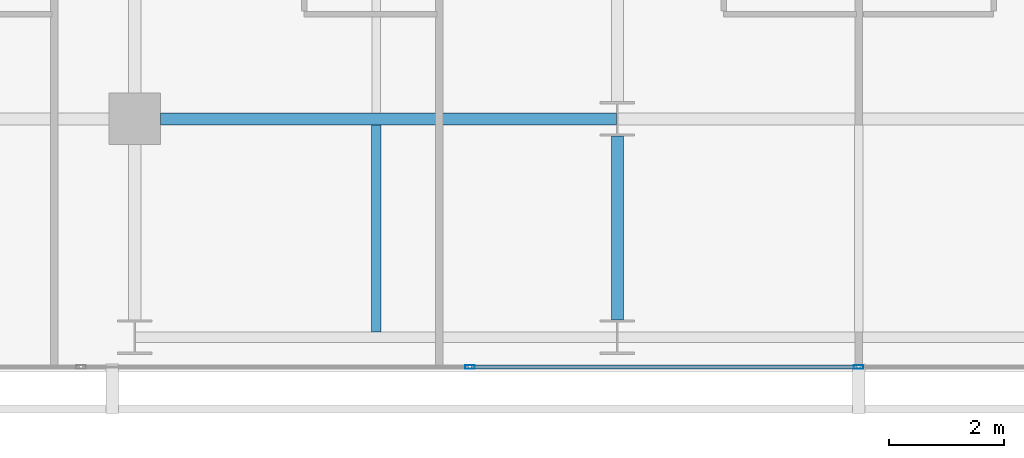
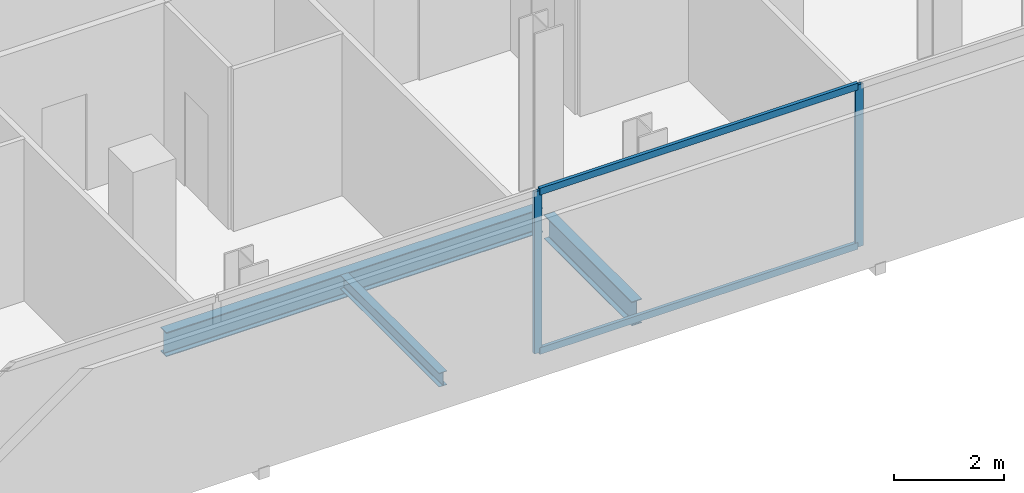
# One storey, part 6 of 33: 4 members, 3 beams, 1 element without a shape of its own.
"""IFC4 building model written with IfcOpenShell, lengths in metres."""

import ifcopenshell
import ifcopenshell.guid

model = None  # the IFC model being written
_history = None  # IfcOwnerHistory: only IFC2X3 demands one
_inside = {}  # id of a spatial element -> (the spatial element, [elements in it])
_under = {}  # id of a project, library or spatial element -> (it, [spatial elements below it])
_declared = {}  # id of a project -> (the project, [libraries it declares])
_typed = {}  # id of a type object -> (the type object, [elements of that type])
_made_of = {}  # id of a material, layer set ... -> (it, [elements and type objects made of it])


def new_model(schema):
    """Start an empty IFC model of exactly this schema.

    Asked for "IFC4X3", IfcOpenShell would pick the latest addendum, in which some entities
    have other attributes; the version numbers below select the first issue.
    IFC2X3 requires an IfcOwnerHistory on every rooted entity: one is made here for all.
    """
    global model, _history
    if schema == "IFC4X3":
        model = ifcopenshell.file(schema_version=(4, 3, 0, 0))
    else:
        model = ifcopenshell.file(schema=schema)
    _inside.clear()
    _under.clear()
    _declared.clear()
    _typed.clear()
    _made_of.clear()
    _history = None
    if model.schema == "IFC2X3":
        org = make("IfcOrganization", Name="unknown")
        user = make(
            "IfcPersonAndOrganization",
            ThePerson=make("IfcPerson", FamilyName="unknown"),
            TheOrganization=org,
        )
        app = make(
            "IfcApplication",
            ApplicationDeveloper=org,
            Version="unknown",
            ApplicationFullName="unknown",
            ApplicationIdentifier="unknown",
        )
        _history = make(
            "IfcOwnerHistory",
            OwningUser=user,
            OwningApplication=app,
            ChangeAction="ADDED",
            CreationDate=0,
        )
    return model


def make(cls, **values):
    """One entity of the class cls with the attributes given. An attribute that is None is left unset."""
    return model.create_entity(
        cls, **{name: value for name, value in values.items() if value is not None}
    )


def rooted(cls, **values):
    """An entity with a GlobalId (a new one), such as an element, a storey or a relation."""
    return make(cls, GlobalId=ifcopenshell.guid.new(), OwnerHistory=_history, **values)


def si_unit(unit_type, name, prefix=None):
    """IfcSIUnit, for example si_unit("LENGTHUNIT", "METRE", prefix="MILLI")."""
    return make("IfcSIUnit", UnitType=unit_type, Prefix=prefix, Name=name)


def assignment(units):
    """IfcUnitAssignment: the units of a project."""
    return None if units is None else make("IfcUnitAssignment", Units=units)


def point(xyz):
    """IfcCartesianPoint."""
    return None if xyz is None else make("IfcCartesianPoint", Coordinates=xyz)


def direction(xyz):
    """IfcDirection."""
    return None if xyz is None else make("IfcDirection", DirectionRatios=xyz)


def frame(location, z_axis=None, x_axis=None):
    """IfcAxis2Placement3D, a coordinate frame: its origin and axes. An axis left out is left unset."""
    return make(
        "IfcAxis2Placement3D",
        Location=point(location),
        Axis=direction(z_axis),
        RefDirection=direction(x_axis),
    )


def frame_2d(location, x_axis=None):
    """IfcAxis2Placement2D, a coordinate frame in the plane: its origin and x axis."""
    return make(
        "IfcAxis2Placement2D", Location=point(location), RefDirection=direction(x_axis)
    )


def origin():
    """The frame at (0, 0, 0) with its axes left unset."""
    return frame((0.0, 0.0, 0.0))


def origin_2d():
    """The frame at (0, 0) in the plane with its x axis left unset."""
    return frame_2d((0.0, 0.0))


def place(relative_to, where):
    """IfcLocalPlacement: puts the frame where relative to a parent placement (None: the world)."""
    return make(
        "IfcLocalPlacement", PlacementRelTo=relative_to, RelativePlacement=where
    )


def context(
    kind, dimensions, precision=None, world=None, true_north=None, identifier=None
):
    """IfcGeometricRepresentationContext, for example the 3D "Model" context."""
    return make(
        "IfcGeometricRepresentationContext",
        ContextIdentifier=identifier,
        ContextType=kind,
        CoordinateSpaceDimension=dimensions,
        Precision=precision,
        WorldCoordinateSystem=world,
        TrueNorth=true_north,
    )


def subcontext(parent, identifier, kind, view, scale=None):
    """IfcGeometricRepresentationSubContext, for example "Body" below "Model"."""
    return make(
        "IfcGeometricRepresentationSubContext",
        ContextIdentifier=identifier,
        ContextType=kind,
        ParentContext=parent,
        TargetScale=scale,
        TargetView=view,
    )


def project(units=None, contexts=None):
    """IfcProject with its units and contexts."""
    return rooted(
        "IfcProject",
        Name="project",
        RepresentationContexts=contexts,
        UnitsInContext=assignment(units),
    )


def spatial(cls, under=None, at=None, **own):
    """A site, building, storey or space (cls), placed at a placement, below another one or the project."""
    s = rooted(cls, ObjectPlacement=at, **own)
    if under is not None:
        _under.setdefault(under.id(), (under, []))[1].append(s)
    return s


def profile(cls, at=None, kind="AREA", **sizes):
    """A parametric profile (cls). Its sizes go by their IFC names, for example OverallWidth=200.0."""
    return make(cls, ProfileType=kind, Position=at, **sizes)


def hollow_rectangle(**sizes):
    """IfcRectangleHollowProfileDef."""
    return profile("IfcRectangleHollowProfileDef", **sizes)


def i_section(**sizes):
    """IfcIShapeProfileDef."""
    return profile("IfcIShapeProfileDef", **sizes)


def extrude(swept, where, along, depth):
    """IfcExtrudedAreaSolid: the profile swept, set in the frame where, extruded along a direction by depth."""
    return make(
        "IfcExtrudedAreaSolid",
        SweptArea=swept,
        Position=where,
        ExtrudedDirection=direction(along),
        Depth=depth,
    )


def shape(context_of_items, identifier, shape_type, items):
    """IfcShapeRepresentation: the items that make up one representation, for example the "Body"."""
    return make(
        "IfcShapeRepresentation",
        ContextOfItems=context_of_items,
        RepresentationIdentifier=identifier,
        RepresentationType=shape_type,
        Items=items,
    )


def material(Name=None, Category=None):
    """IfcMaterial."""
    return make("IfcMaterial", Name=Name, Category=Category)


def layer(
    of_material, thickness, ventilated=None, Name=None, Category=None, Priority=None
):
    """IfcMaterialLayer: one layer of a wall or slab, of a material (None: an air gap)."""
    return make(
        "IfcMaterialLayer",
        Material=of_material,
        LayerThickness=thickness,
        IsVentilated=ventilated,
        Name=Name,
        Category=Category,
        Priority=Priority,
    )


def layer_set(layers, Name=None):
    """IfcMaterialLayerSet."""
    return make("IfcMaterialLayerSet", MaterialLayers=layers, LayerSetName=Name)


def material_profile(
    of_material, cross_section, Name=None, Category=None, Priority=None
):
    """IfcMaterialProfile: a cross section and its material."""
    return make(
        "IfcMaterialProfile",
        Name=Name,
        Material=of_material,
        Profile=cross_section,
        Priority=Priority,
        Category=Category,
    )


def profile_set(profiles, Name=None, composite=None):
    """IfcMaterialProfileSet."""
    return make(
        "IfcMaterialProfileSet",
        Name=Name,
        MaterialProfiles=profiles,
        CompositeProfile=composite,
    )


def made_of(thing, what):
    """Note that an element or type object is made of a material, layer set ...; save() writes the relation."""
    if what is not None:
        _made_of.setdefault(what.id(), (what, []))[1].append(thing)
    return thing


def type_object(cls, material=None, **own):
    """A type object (cls), such as IfcWallType, which elements share."""
    return made_of(rooted(cls, **own), material)


def element(
    cls,
    number,
    at=None,
    inside=None,
    cuts=None,
    type_object=None,
    material=None,
    context=None,
    identifier="Body",
    shape_type=None,
    held_by="IfcProductDefinitionShape",
    body=None,
    shapes=None,
    **own,
):
    """One element of the class cls, such as IfcWall. Its Tag is "e" and its number.

    at: its placement. inside: the storey or other place that contains it. cuts: it is an
    opening in that element (IfcRelVoidsElement). A single representation is given by context,
    identifier, shape_type and body (its items); several are given by shapes. held_by: the class
    of the entity that holds the representations. save() writes the other relations.
    """
    e = rooted(cls, Tag="e%d" % number, ObjectPlacement=at, **own)
    if body is not None:
        shapes = [shape(context, identifier, shape_type, body)]
    if shapes is not None:
        e.Representation = make(held_by, Representations=shapes)
    if inside is not None:
        _inside.setdefault(inside.id(), (inside, []))[1].append(e)
    if cuts is not None:
        rooted(
            "IfcRelVoidsElement", RelatingBuildingElement=cuts, RelatedOpeningElement=e
        )
    if type_object is not None:
        _typed.setdefault(type_object.id(), (type_object, []))[1].append(e)
    return made_of(e, material)


def aggregate(whole, parts):
    """IfcRelAggregates: a whole, such as a stair, and the parts it consists of."""
    return rooted("IfcRelAggregates", RelatingObject=whole, RelatedObjects=parts)


def save(model, path):
    """Write the relations noted so far, then the file.

    IfcRelAggregates (storeys below a building ...), IfcRelContainedInSpatialStructure (elements
    in a storey), IfcRelDefinesByType, IfcRelAssociatesMaterial and IfcRelDeclares: one each for
    every whole, place, type object, material and project.
    """
    for whole, parts in _under.values():
        aggregate(whole, parts)
    for where, things in _inside.values():
        rooted(
            "IfcRelContainedInSpatialStructure",
            RelatedElements=things,
            RelatingStructure=where,
        )
    for kind, things in _typed.values():
        rooted("IfcRelDefinesByType", RelatedObjects=things, RelatingType=kind)
    for what, things in _made_of.values():
        rooted("IfcRelAssociatesMaterial", RelatedObjects=things, RelatingMaterial=what)
    for by, libraries in _declared.values():
        rooted("IfcRelDeclares", RelatingContext=by, RelatedDefinitions=libraries)
    model.write(path)


model = new_model("IFC4")

# Units and contexts
model_context = context("Model", 3, precision=1e-05, world=origin(), true_north=direction((0.0, 1.0)))
body_context = subcontext(model_context, "Body", "Model", "MODEL_VIEW")
ifc_project = project(units=[si_unit("LENGTHUNIT", "METRE"), si_unit("AREAUNIT", "SQUARE_METRE"), si_unit("VOLUMEUNIT", "CUBIC_METRE"), si_unit("PLANEANGLEUNIT", "RADIAN"), si_unit("MASSUNIT", "GRAM", prefix="KILO")], contexts=[model_context])

# Site, building, storey
site_placement = place(None, origin())
site = spatial("IfcSite", under=ifc_project, at=site_placement, CompositionType="ELEMENT")
building_placement = place(site_placement, origin())
building = spatial("IfcBuilding", under=site, at=building_placement, Name="Maruvema Waterfront Hotel and Observation Tower", CompositionType="ELEMENT")
storey_placement = place(building_placement, frame((0.0, 0.0, 204.39990234375)))
storey = spatial("IfcBuildingStorey", under=building, at=storey_placement, Name="L50", CompositionType="ELEMENT", Elevation=204.39990234375)

# Curtain wall, members
ifc_material_1 = material(Name="Anodised bronze aluminium and solar-control low-E IGU", Category="aluminium")
ifc_layer = layer(ifc_material_1, 0.159912109375, Name="Zone 2 Amber Inner Thermal Curtain Wall System CW-03")
ifc_layer_set = layer_set([ifc_layer], Name="Anodised bronze aluminium and solar-control low-E IGU")
curtain_wall_type = type_object("IfcCurtainWallType", Name="Zone 2 Amber Inner Thermal Curtain Wall System CW-03", PredefinedType="USERDEFINED", material=ifc_layer_set)
curtain_wall_placement = place(storey_placement, origin())
curtain_wall = element("IfcCurtainWall", 1, at=curtain_wall_placement, inside=storey, type_object=curtain_wall_type, Name="L50 Curtain Wall CW-L50-S", ObjectType="UNITISED CURTAIN WALL", PredefinedType="USERDEFINED")
ifc_material_2 = material(Name="Anodised architectural bronze aluminium", Category="aluminium")
ifc_material_profile_1 = material_profile(ifc_material_2, hollow_rectangle(XDim=0.070068359375, YDim=0.14990234375, WallThickness=0.00390625, at=origin_2d()), Name="ALU-T70x150")
ifc_profile_set_1 = profile_set([ifc_material_profile_1], Name="Anodised architectural bronze aluminium")
member_type_1 = type_object("IfcMemberType", Name="Curtain Wall Horizontal Transom ALU-T70x150", PredefinedType="USERDEFINED", material=ifc_profile_set_1)
member_1_placement = place(storey_placement, frame((31.063232421875, 4.679931640625, 0.030029296875), z_axis=(1.0, 0.0, 0.0), x_axis=(0.0, 1.0, 0.0)))
member_1 = element("IfcMember", 2, at=member_1_placement, type_object=member_type_1, Name="CW-03 transom 3.1", ObjectType="TRANSOM", PredefinedType="USERDEFINED", context=body_context, shape_type="SweptSolid", body=[
    extrude(hollow_rectangle(XDim=0.070068359375, YDim=0.14990234375, WallThickness=0.00390625, at=origin_2d()), origin(), (0.0, 0.0, 1.0), 6.706787109375),
])
member_2_placement = place(storey_placement, frame((31.063232421875, 4.679931640625, 3.580078125), z_axis=(1.0, 0.0, 0.0), x_axis=(0.0, 1.0, 0.0)))
member_2 = element("IfcMember", 3, at=member_2_placement, type_object=member_type_1, Name="CW-03 transom 3.2", ObjectType="TRANSOM", PredefinedType="USERDEFINED", context=body_context, shape_type="SweptSolid", body=[
    extrude(hollow_rectangle(XDim=0.070068359375, YDim=0.14990234375, WallThickness=0.00390625, at=origin_2d()), origin(), (0.0, 0.0, 1.0), 6.706787109375),
])
ifc_material_3 = material(Name="Anodised architectural bronze aluminium", Category="aluminium")
ifc_material_profile_2 = material_profile(ifc_material_3, hollow_rectangle(XDim=0.06494140625, YDim=0.1650390625, WallThickness=0.00390625, at=origin_2d()), Name="ALU-M65x165")
ifc_profile_set_2 = profile_set([ifc_material_profile_2], Name="Anodised architectural bronze aluminium")
member_type_2 = type_object("IfcMemberType", Name="Curtain Wall Primary Mullion ALU-M65x165", PredefinedType="MULLION", material=ifc_profile_set_2)
member_3_placement = place(storey_placement, frame((31.033447265625, 4.679931640625, 0.0), z_axis=(0.0, 0.0, 1.0), x_axis=(0.0, 1.0, 0.0)))
member_3 = element("IfcMember", 4, at=member_3_placement, type_object=member_type_2, Name="CW-03 mullion 3", PredefinedType="MULLION", context=body_context, shape_type="SweptSolid", body=[
    extrude(hollow_rectangle(XDim=0.06494140625, YDim=0.1650390625, WallThickness=0.00390625, at=origin_2d()), origin(), (0.0, 0.0, 1.0), 3.610107421875),
])
member_4_placement = place(storey_placement, frame((37.800048828125, 4.679931640625, 0.0), z_axis=(0.0, 0.0, 1.0), x_axis=(0.0, 1.0, 0.0)))
member_4 = element("IfcMember", 5, at=member_4_placement, type_object=member_type_2, Name="CW-03 mullion 4", PredefinedType="MULLION", context=body_context, shape_type="SweptSolid", body=[
    extrude(hollow_rectangle(XDim=0.06494140625, YDim=0.1650390625, WallThickness=0.00390625, at=origin_2d()), origin(), (0.0, 0.0, 1.0), 3.610107421875),
])
aggregate(curtain_wall, [member_3, member_4, member_1, member_2])

# Beams
ifc_material_4 = material(Name="Steel ASTM A572 Grade 50", Category="steel")
ifc_material_profile_3 = material_profile(ifc_material_4, i_section(OverallWidth=0.2109375, OverallDepth=0.5390625, WebThickness=0.01171875, FlangeThickness=0.018798828125, FilletRadius=0.014892578125, at=origin_2d()), Name="W530x109.0")
ifc_profile_set_3 = profile_set([ifc_material_profile_3], Name="Steel ASTM A572 Grade 50")
beam_type_1 = type_object("IfcBeamType", Name="Primary Floor Girder W530x109.0", PredefinedType="BEAM", material=ifc_profile_set_3)
beam_1_placement = place(storey_placement, frame((25.64990234375, 9.0, -0.509521484375), z_axis=(1.0, 0.0, 0.0), x_axis=(0.0, 1.0, 0.0)))
element("IfcBeam", 6, at=beam_1_placement, inside=storey, type_object=beam_type_1, Name="L50 Floor Girder EW-06", PredefinedType="BEAM", context=body_context, shape_type="SweptSolid", body=[
    extrude(i_section(OverallWidth=0.2109375, OverallDepth=0.5390625, WebThickness=0.01171875, FlangeThickness=0.018798828125, FilletRadius=0.014892578125, at=origin_2d()), origin(), (0.0, 0.0, 1.0), 7.9375),
])
beam_2_placement = place(storey_placement, frame((33.60009765625, 5.5, -0.509521484375), z_axis=(0.0, 1.0, 0.0), x_axis=(-1.0, 0.0, 0.0)))
element("IfcBeam", 7, at=beam_2_placement, inside=storey, type_object=beam_type_1, Name="L50 Floor Girder NS-14", PredefinedType="BEAM", context=body_context, shape_type="SweptSolid", body=[
    extrude(i_section(OverallWidth=0.2109375, OverallDepth=0.5390625, WebThickness=0.01171875, FlangeThickness=0.018798828125, FilletRadius=0.014892578125, at=origin_2d()), origin(), (0.0, 0.0, 1.0), 3.199951171875),
])
ifc_material_5 = material(Name="Steel ASTM A572 Grade 50", Category="steel")
ifc_material_profile_4 = material_profile(ifc_material_5, i_section(OverallWidth=0.1650390625, OverallDepth=0.31005859375, WebThickness=0.005859375, FlangeThickness=0.009765625, FilletRadius=0.012939453125, at=origin_2d()), Name="W310x38.7")
ifc_profile_set_4 = profile_set([ifc_material_profile_4], Name="Steel ASTM A572 Grade 50")
beam_type_2 = type_object("IfcBeamType", Name="Secondary Floor Joist W310x38.7", PredefinedType="JOIST", material=ifc_profile_set_4)
beam_3_placement = place(storey_placement, frame((29.39990234375, 5.28955078125, -0.39501953125), z_axis=(0.0, 1.0, 0.0), x_axis=(-1.0, 0.0, 0.0)))
element("IfcBeam", 8, at=beam_3_placement, inside=storey, type_object=beam_type_2, Name="L50 Secondary Floor Joist JS-05", PredefinedType="JOIST", context=body_context, shape_type="SweptSolid", body=[
    extrude(i_section(OverallWidth=0.1650390625, OverallDepth=0.31005859375, WebThickness=0.005859375, FlangeThickness=0.009765625, FilletRadius=0.012939453125, at=origin_2d()), origin(), (0.0, 0.0, 1.0), 3.60498046875),
])

save(model, "model.ifc")
